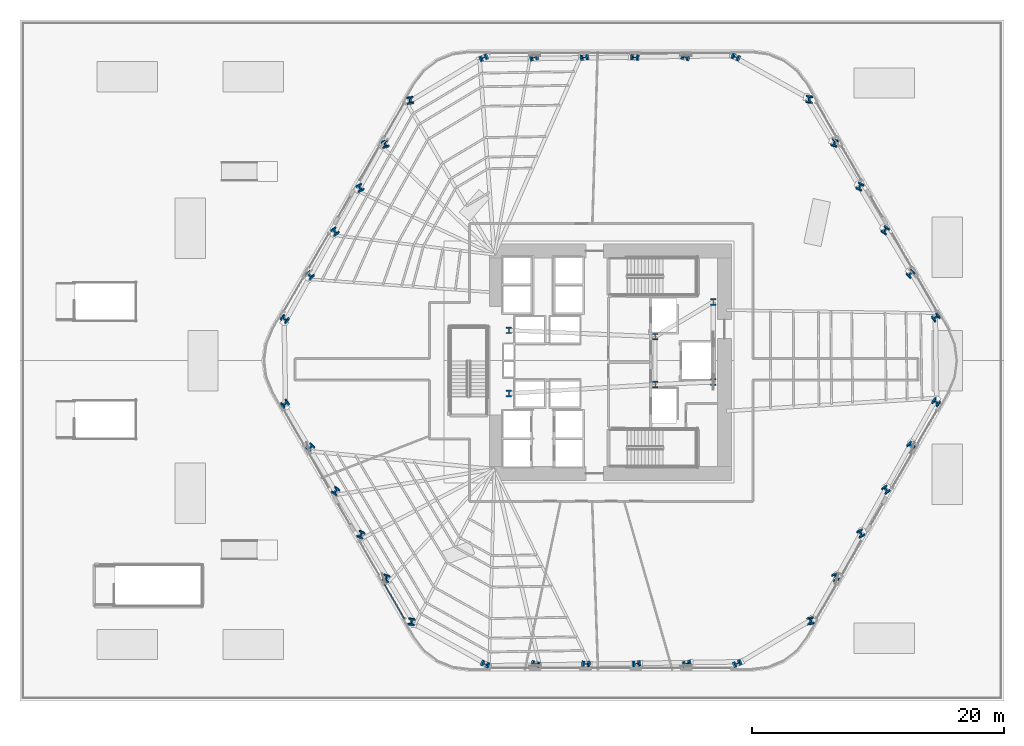
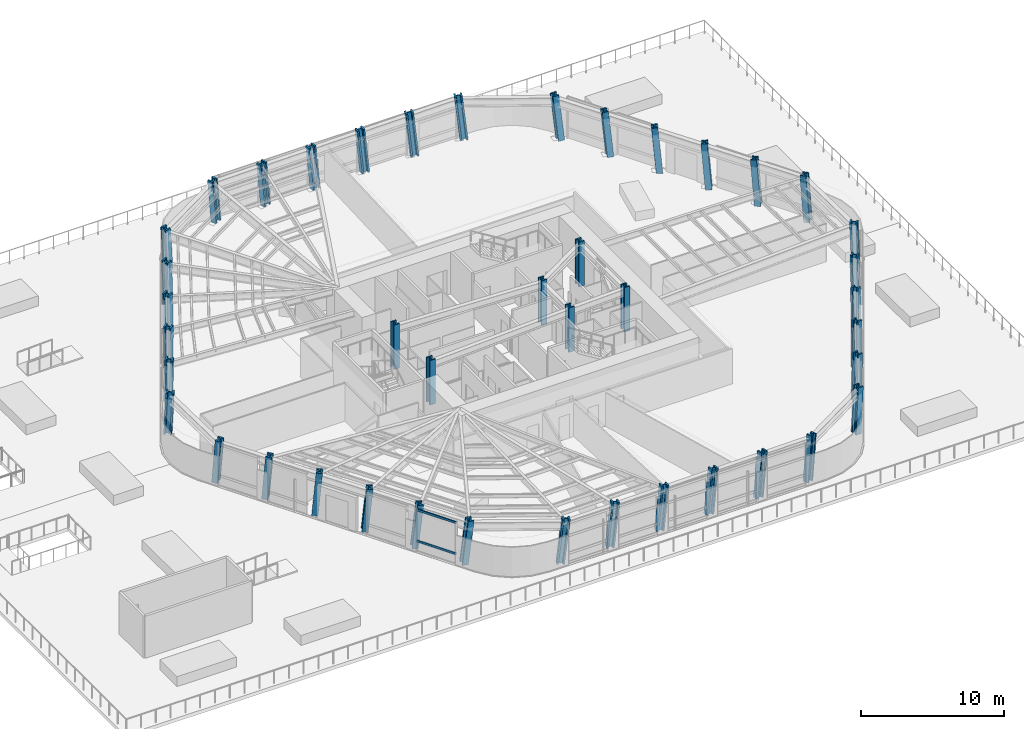
# One storey, part 1 of 18: 42 columns, 2 members, 1 element without a shape of its own.
"""IFC4 building model written with IfcOpenShell, lengths in metres."""

from ifc_helpers import new_model, si_unit, direction, frame, origin, origin_2d, place, context, subcontext, project, spatial, rectangle, i_section, extrude, material, layer, layer_set, material_profile, profile_set, type_object, element, aggregate, save


model = new_model("IFC4")

# Units and contexts
model_context = context("Model", 3, precision=1e-05, world=origin(), true_north=direction((0.0, 1.0)))
body_context = subcontext(model_context, "Body", "Model", "MODEL_VIEW")
ifc_project = project(units=[si_unit("LENGTHUNIT", "METRE"), si_unit("AREAUNIT", "SQUARE_METRE"), si_unit("VOLUMEUNIT", "CUBIC_METRE"), si_unit("PLANEANGLEUNIT", "RADIAN"), si_unit("MASSUNIT", "GRAM", prefix="KILO")], contexts=[model_context])

# Site, building, storey
site_placement = place(None, origin())
site = spatial("IfcSite", under=ifc_project, at=site_placement, CompositionType="ELEMENT")
building_placement = place(site_placement, origin())
building = spatial("IfcBuilding", under=site, at=building_placement, Name="Valkerne Bourse Tower", CompositionType="ELEMENT")
storey_placement = place(building_placement, frame((0.0, 0.0, 24.0)))
storey = spatial("IfcBuildingStorey", under=building, at=storey_placement, Name="L05", CompositionType="ELEMENT", Elevation=24.0)

# Columns
ifc_material_1 = material(Name="Steel ASTM A913 Grade 65", Category="steel")
ifc_material_profile_1 = material_profile(ifc_material_1, i_section(OverallWidth=0.44189453125, OverallDepth=0.531005859375, WebThickness=0.06591796875, FlangeThickness=0.105712890625, FilletRadius=0.030517578125, at=origin_2d()), Name="W14X605")
ifc_profile_set_1 = profile_set([ifc_material_profile_1], Name="Steel ASTM A913 Grade 65")
column_type_1 = type_object("IfcColumnType", Name="COL-W14X605", PredefinedType="COLUMN", material=ifc_profile_set_1)
for number, where, z_axis, x_axis, name in (
    (1, (38.75, 24.39990234375, 0.0048828125), (0.0, 0.0, 1.0), (1.0, 0.0, 0.0), "L05 Core Frame Column CC-SW"),
    (2, (38.75, 29.39990234375, 0.0048828125), (0.0, 0.0, 1.0), (1.0, 0.0, 0.0), "L05 Core Frame Column CC-NW"),
    (3, (50.35009765625, 25.10009765625, 0.0048828125), (0.0, 0.0, 1.0), (1.0, 0.0, 0.0), "L05 Core Frame Column CC-CE1"),
    (4, (50.35009765625, 28.89990234375, 0.0048828125), (0.0, 0.0, 1.0), (1.0, 0.0, 0.0), "L05 Core Frame Column CC-CE2"),
    (5, (54.949951171875, 25.300048828125, 0.0048828125), (0.0, 0.0, 1.0), (1.0, 0.0, 0.0), "L05 Core Frame Column CC-SE"),
    (6, (54.949951171875, 31.64990234375, 0.0048828125), (0.0, 0.0, 1.0), (1.0, 0.0, 0.0), "L05 Core Frame Column CC-NE"),
):
    element("IfcColumn", number, at=place(storey_placement, frame(where, z_axis=z_axis, x_axis=x_axis)), inside=storey, type_object=column_type_1, Name=name, PredefinedType="COLUMN", context=body_context, shape_type="SweptSolid", body=[
        extrude(i_section(OverallWidth=0.44189453125, OverallDepth=0.531005859375, WebThickness=0.06591796875, FlangeThickness=0.105712890625, FilletRadius=0.030517578125, at=origin_2d()), origin(), (0.0, 0.0, 1.0), 3.795166015625),
    ])
ifc_material_profile_2 = material_profile(ifc_material_1, i_section(OverallWidth=0.45458984375, OverallDepth=0.569091796875, WebThickness=0.077880859375, FlangeThickness=0.124755859375, FilletRadius=0.030517578125, at=origin_2d()), Name="W14X730")
ifc_profile_set_2 = profile_set([ifc_material_profile_2], Name="Steel ASTM A913 Grade 65")
column_type_2 = type_object("IfcColumnType", Name="COL-W14X730", PredefinedType="COLUMN", material=ifc_profile_set_2)
column_1_placement = place(storey_placement, frame((72.607421875, 30.364501953125, 0.010009765625), z_axis=(-0.014700890484, 0.106501210973, 0.994203890497), x_axis=(0.613036174722, -0.784549348602, 0.093107293429)))
element("IfcColumn", 7, at=column_1_placement, inside=storey, type_object=column_type_2, Name="L05 Helical Perimeter Tube Column F1-C1", PredefinedType="COLUMN", context=body_context, shape_type="SweptSolid", body=[
    extrude(i_section(OverallWidth=0.45458984375, OverallDepth=0.569091796875, WebThickness=0.077880859375, FlangeThickness=0.124755859375, FilletRadius=0.030517578125, at=origin_2d()), origin(), (0.0, 0.0, 1.0), 3.802978515625),
])
column_2_placement = place(storey_placement, frame((70.609619140625, 33.8251953125, 0.010009765625), z_axis=(-0.028968323031, 0.098145449206, 0.994750374245), x_axis=(0.723418313263, -0.684698601088, 0.088621496852)))
element("IfcColumn", 8, at=column_2_placement, inside=storey, type_object=column_type_2, Name="L05 Helical Perimeter Tube Column F1-C2", PredefinedType="COLUMN", context=body_context, shape_type="SweptSolid", body=[
    extrude(i_section(OverallWidth=0.45458984375, OverallDepth=0.569091796875, WebThickness=0.077880859375, FlangeThickness=0.124755859375, FilletRadius=0.030517578125, at=origin_2d()), origin(), (0.0, 0.0, 1.0), 3.801025390625),
])
for number, where, z_axis, x_axis, name in (
    (9, (68.611572265625, 37.285888671875, 0.010009765625), (-0.043239347925, 0.08981962615, 0.995018991552), (0.824288737494, -0.559549079529, 0.086330208143), "L05 Helical Perimeter Tube Column F1-C3"),
    (10, (66.613525390625, 40.746337890625, 0.010009765625), (-0.05750237044, 0.081467045494, 0.995015878211), (0.90540417877, -0.415675019077, 0.086357116562), "L05 Helical Perimeter Tube Column F1-C4"),
):
    element("IfcColumn", number, at=place(storey_placement, frame(where, z_axis=z_axis, x_axis=x_axis)), inside=storey, type_object=column_type_2, Name=name, PredefinedType="COLUMN", context=body_context, shape_type="SweptSolid", body=[
        extrude(i_section(OverallWidth=0.45458984375, OverallDepth=0.569091796875, WebThickness=0.077880859375, FlangeThickness=0.124755859375, FilletRadius=0.030517578125, at=origin_2d()), origin(), (0.0, 0.0, 1.0), 3.800048828125),
    ])
column_3_placement = place(storey_placement, frame((64.615478515625, 44.20703125, 0.010009765625), z_axis=(-0.071681805144, 0.073094887324, 0.994745623895), x_axis=(0.960167678034, -0.264985230252, 0.088661478706)))
element("IfcColumn", 11, at=column_3_placement, inside=storey, type_object=column_type_2, Name="L05 Helical Perimeter Tube Column F1-C5", PredefinedType="COLUMN", context=body_context, shape_type="SweptSolid", body=[
    extrude(i_section(OverallWidth=0.45458984375, OverallDepth=0.569091796875, WebThickness=0.077880859375, FlangeThickness=0.124755859375, FilletRadius=0.030517578125, at=origin_2d()), origin(), (0.0, 0.0, 1.0), 3.801025390625),
])
for number, where, z_axis, x_axis, name in (
    (12, (62.617431640625, 47.667724609375, 0.010009765625), (-0.08583063883, 0.064645813988, 0.99421024948), (0.98857016259, -0.118615128736, 0.093056353201), "L05 Helical Perimeter Tube Column F1-C6"),
    (13, (56.7900390625, 51.0322265625, 0.010009765625), (-0.099568236875, 0.040507773996, 0.99420585718), (0.376841554449, 0.926277735261, 0.0), "L05 Helical Perimeter Tube Column F2-C1"),
):
    element("IfcColumn", number, at=place(storey_placement, frame(where, z_axis=z_axis, x_axis=x_axis)), inside=storey, type_object=column_type_2, Name=name, PredefinedType="COLUMN", context=body_context, shape_type="SweptSolid", body=[
        extrude(i_section(OverallWidth=0.45458984375, OverallDepth=0.569091796875, WebThickness=0.077880859375, FlangeThickness=0.124755859375, FilletRadius=0.030517578125, at=origin_2d()), origin(), (0.0, 0.0, 1.0), 3.802978515625),
    ])
column_4_placement = place(storey_placement, frame((52.7939453125, 51.0322265625, 0.010009765625), z_axis=(-0.099494236011, 0.023958263417, 0.994749666305), x_axis=(0.234108769194, 0.972210411478, 0.0)))
element("IfcColumn", 14, at=column_4_placement, inside=storey, type_object=column_type_2, Name="L05 Helical Perimeter Tube Column F2-C2", PredefinedType="COLUMN", context=body_context, shape_type="SweptSolid", body=[
    extrude(i_section(OverallWidth=0.45458984375, OverallDepth=0.569091796875, WebThickness=0.077880859375, FlangeThickness=0.124755859375, FilletRadius=0.030517578125, at=origin_2d()), origin(), (0.0, 0.0, 1.0), 3.801025390625),
])
for number, where, z_axis, x_axis, name in (
    (15, (48.798095703125, 51.0322265625, 0.010009765625), (-0.099392813468, 0.007452854791, 0.995020363403), (0.074773923303, 0.997200511629, 0.0), "L05 Helical Perimeter Tube Column F2-C3"),
    (16, (44.802001953125, 51.0322265625, 0.010009765625), (-0.099264266597, -0.00905906899, 0.995019868468), (-0.090884442574, 0.995861445231, 0.0), "L05 Helical Perimeter Tube Column F2-C4"),
):
    element("IfcColumn", number, at=place(storey_placement, frame(where, z_axis=z_axis, x_axis=x_axis)), inside=storey, type_object=column_type_2, Name=name, PredefinedType="COLUMN", context=body_context, shape_type="SweptSolid", body=[
        extrude(i_section(OverallWidth=0.45458984375, OverallDepth=0.569091796875, WebThickness=0.077880859375, FlangeThickness=0.124755859375, FilletRadius=0.030517578125, at=origin_2d()), origin(), (0.0, 0.0, 1.0), 3.800048828125),
    ])
column_5_placement = place(storey_placement, frame((40.805908203125, 51.0322265625, 0.010009765625), z_axis=(-0.099108700583, -0.02556400702, 0.994748182715), x_axis=(-0.249764140274, 0.968306704631, 0.0)))
element("IfcColumn", 17, at=column_5_placement, inside=storey, type_object=column_type_2, Name="L05 Helical Perimeter Tube Column F2-C5", PredefinedType="COLUMN", context=body_context, shape_type="SweptSolid", body=[
    extrude(i_section(OverallWidth=0.45458984375, OverallDepth=0.569091796875, WebThickness=0.077880859375, FlangeThickness=0.124755859375, FilletRadius=0.030517578125, at=origin_2d()), origin(), (0.0, 0.0, 1.0), 3.801025390625),
])
for number, where, z_axis, x_axis, name in (
    (18, (36.81005859375, 51.0322265625, 0.010009765625), (-0.098926286737, -0.042048486576, 0.994205971904), (-0.391178578766, 0.920314793706, 0.0), "L05 Helical Perimeter Tube Column F2-C6"),
    (19, (30.982421875, 47.667724609375, 0.010009765625), (-0.084803459635, -0.065993911056, 0.994209825408), (-0.986576099019, -0.134191965288, -0.093059751218), "L05 Helical Perimeter Tube Column F3-C1"),
):
    element("IfcColumn", number, at=place(storey_placement, frame(where, z_axis=z_axis, x_axis=x_axis)), inside=storey, type_object=column_type_2, Name=name, PredefinedType="COLUMN", context=body_context, shape_type="SweptSolid", body=[
        extrude(i_section(OverallWidth=0.45458984375, OverallDepth=0.569091796875, WebThickness=0.077880859375, FlangeThickness=0.124755859375, FilletRadius=0.030517578125, at=origin_2d()), origin(), (0.0, 0.0, 1.0), 3.802978515625),
    ])
column_6_placement = place(storey_placement, frame((28.984619140625, 44.20703125, 0.010009765625), z_axis=(-0.070589684922, -0.074186611542, 0.994742902991), x_axis=(-0.956061197082, -0.279431690619, -0.088684371296)))
element("IfcColumn", 20, at=column_6_placement, inside=storey, type_object=column_type_2, Name="L05 Helical Perimeter Tube Column F3-C2", PredefinedType="COLUMN", context=body_context, shape_type="SweptSolid", body=[
    extrude(i_section(OverallWidth=0.45458984375, OverallDepth=0.569091796875, WebThickness=0.077880859375, FlangeThickness=0.124755859375, FilletRadius=0.030517578125, at=origin_2d()), origin(), (0.0, 0.0, 1.0), 3.801025390625),
])
for number, where, z_axis, x_axis, name in (
    (21, (26.986572265625, 40.746337890625, 0.010009765625), (-0.056217663843, -0.082302659866, 0.995020525643), (-0.898912644781, -0.429540966488, -0.086316945971), "L05 Helical Perimeter Tube Column F3-C3"),
    (22, (24.988525390625, 37.285888671875, 0.010009765625), (-0.041825726429, -0.090526034622, 0.995015399712), (-0.815317669534, -0.572537188306, -0.086361251449), "L05 Helical Perimeter Tube Column F3-C4"),
):
    element("IfcColumn", number, at=place(storey_placement, frame(where, z_axis=z_axis, x_axis=x_axis)), inside=storey, type_object=column_type_2, Name=name, PredefinedType="COLUMN", context=body_context, shape_type="SweptSolid", body=[
        extrude(i_section(OverallWidth=0.45458984375, OverallDepth=0.569091796875, WebThickness=0.077880859375, FlangeThickness=0.124755859375, FilletRadius=0.030517578125, at=origin_2d()), origin(), (0.0, 0.0, 1.0), 3.800048828125),
    ])
column_7_placement = place(storey_placement, frame((22.990478515625, 33.8251953125, 0.010009765625), z_axis=(-0.027426576851, -0.098658599632, 0.994743315434), x_axis=(-0.712467156733, -0.696079196843, -0.088680901548)))
element("IfcColumn", 23, at=column_7_placement, inside=storey, type_object=column_type_2, Name="L05 Helical Perimeter Tube Column F3-C5", PredefinedType="COLUMN", context=body_context, shape_type="SweptSolid", body=[
    extrude(i_section(OverallWidth=0.45458984375, OverallDepth=0.569091796875, WebThickness=0.077880859375, FlangeThickness=0.124755859375, FilletRadius=0.030517578125, at=origin_2d()), origin(), (0.0, 0.0, 1.0), 3.801025390625),
])
for number, where, z_axis, x_axis, name in (
    (24, (20.992431640625, 30.364501953125, 0.010009765625), (-0.013031827824, -0.106694078048, 0.994206490209), (-0.600701005667, -0.794036026053, -0.093086471198), "L05 Helical Perimeter Tube Column F3-C6"),
    (25, (20.992431640625, 23.635498046875, 0.010009765625), (0.014765072547, -0.106501110244, 0.994202950181), (0.613499980581, -0.784185822009, -0.093114823674), "L05 Helical Perimeter Tube Column F4-C1"),
):
    element("IfcColumn", number, at=place(storey_placement, frame(where, z_axis=z_axis, x_axis=x_axis)), inside=storey, type_object=column_type_2, Name=name, PredefinedType="COLUMN", context=body_context, shape_type="SweptSolid", body=[
        extrude(i_section(OverallWidth=0.45458984375, OverallDepth=0.569091796875, WebThickness=0.077880859375, FlangeThickness=0.124755859375, FilletRadius=0.030517578125, at=origin_2d()), origin(), (0.0, 0.0, 1.0), 3.802978515625),
    ])
column_8_placement = place(storey_placement, frame((22.990478515625, 20.1748046875, 0.010009765625), z_axis=(0.028968323031, -0.098145449206, 0.994750374245), x_axis=(0.723418313263, -0.684698601088, -0.088621496852)))
element("IfcColumn", 26, at=column_8_placement, inside=storey, type_object=column_type_2, Name="L05 Helical Perimeter Tube Column F4-C2", PredefinedType="COLUMN", context=body_context, shape_type="SweptSolid", body=[
    extrude(i_section(OverallWidth=0.45458984375, OverallDepth=0.569091796875, WebThickness=0.077880859375, FlangeThickness=0.124755859375, FilletRadius=0.030517578125, at=origin_2d()), origin(), (0.0, 0.0, 1.0), 3.801025390625),
])
for number, where, z_axis, x_axis, name in (
    (27, (24.988525390625, 16.714111328125, 0.010009765625), (0.043239347925, -0.08981962615, 0.995018991552), (0.824288737494, -0.559549079529, -0.086330208143), "L05 Helical Perimeter Tube Column F4-C3"),
    (28, (26.986572265625, 13.253662109375, 0.010009765625), (0.057438334065, -0.081467346303, 0.995019552203), (0.905186997161, -0.416154336901, -0.086325361571), "L05 Helical Perimeter Tube Column F4-C4"),
):
    element("IfcColumn", number, at=place(storey_placement, frame(where, z_axis=z_axis, x_axis=x_axis)), inside=storey, type_object=column_type_2, Name=name, PredefinedType="COLUMN", context=body_context, shape_type="SweptSolid", body=[
        extrude(i_section(OverallWidth=0.45458984375, OverallDepth=0.569091796875, WebThickness=0.077880859375, FlangeThickness=0.124755859375, FilletRadius=0.030517578125, at=origin_2d()), origin(), (0.0, 0.0, 1.0), 3.800048828125),
    ])
column_9_placement = place(storey_placement, frame((28.984619140625, 9.79296875, 0.010009765625), z_axis=(0.071681805144, -0.073094887324, 0.994745623895), x_axis=(0.960167678034, -0.264985230252, -0.088661478706)))
element("IfcColumn", 29, at=column_9_placement, inside=storey, type_object=column_type_2, Name="L05 Helical Perimeter Tube Column F4-C5", PredefinedType="COLUMN", context=body_context, shape_type="SweptSolid", body=[
    extrude(i_section(OverallWidth=0.45458984375, OverallDepth=0.569091796875, WebThickness=0.077880859375, FlangeThickness=0.124755859375, FilletRadius=0.030517578125, at=origin_2d()), origin(), (0.0, 0.0, 1.0), 3.801025390625),
])
for number, where, z_axis, x_axis, name in (
    (30, (30.982421875, 6.332275390625, 0.010009765625), (0.085894361813, -0.064645457658, 0.994204769357), (0.988608920927, -0.118257109824, -0.093100254781), "L05 Helical Perimeter Tube Column F4-C6"),
    (31, (36.81005859375, 2.9677734375, 0.010009765625), (0.099568236875, -0.040507773996, 0.99420585718), (0.376841554449, 0.926277735261, 0.0), "L05 Helical Perimeter Tube Column F5-C1"),
):
    element("IfcColumn", number, at=place(storey_placement, frame(where, z_axis=z_axis, x_axis=x_axis)), inside=storey, type_object=column_type_2, Name=name, PredefinedType="COLUMN", context=body_context, shape_type="SweptSolid", body=[
        extrude(i_section(OverallWidth=0.45458984375, OverallDepth=0.569091796875, WebThickness=0.077880859375, FlangeThickness=0.124755859375, FilletRadius=0.030517578125, at=origin_2d()), origin(), (0.0, 0.0, 1.0), 3.802978515625),
    ])
column_10_placement = place(storey_placement, frame((40.805908203125, 2.9677734375, 0.010009765625), z_axis=(0.099494236011, -0.023958263417, 0.994749666305), x_axis=(0.234108769194, 0.972210411478, 0.0)))
element("IfcColumn", 32, at=column_10_placement, inside=storey, type_object=column_type_2, Name="L05 Helical Perimeter Tube Column F5-C2", PredefinedType="COLUMN", context=body_context, shape_type="SweptSolid", body=[
    extrude(i_section(OverallWidth=0.45458984375, OverallDepth=0.569091796875, WebThickness=0.077880859375, FlangeThickness=0.124755859375, FilletRadius=0.030517578125, at=origin_2d()), origin(), (0.0, 0.0, 1.0), 3.801025390625),
])
for number, where, z_axis, x_axis, name in (
    (33, (44.802001953125, 2.9677734375, 0.010009765625), (0.099392813468, -0.007452854791, 0.995020363403), (0.074773923303, 0.997200511629, 0.0), "L05 Helical Perimeter Tube Column F5-C3"),
    (34, (48.798095703125, 2.9677734375, 0.010009765625), (0.099264266597, 0.00905906899, 0.995019868468), (-0.090884442574, 0.995861445231, 0.0), "L05 Helical Perimeter Tube Column F5-C4"),
):
    element("IfcColumn", number, at=place(storey_placement, frame(where, z_axis=z_axis, x_axis=x_axis)), inside=storey, type_object=column_type_2, Name=name, PredefinedType="COLUMN", context=body_context, shape_type="SweptSolid", body=[
        extrude(i_section(OverallWidth=0.45458984375, OverallDepth=0.569091796875, WebThickness=0.077880859375, FlangeThickness=0.124755859375, FilletRadius=0.030517578125, at=origin_2d()), origin(), (0.0, 0.0, 1.0), 3.800048828125),
    ])
column_11_placement = place(storey_placement, frame((52.7939453125, 2.9677734375, 0.010009765625), z_axis=(0.099108700583, 0.02556400702, 0.994748182715), x_axis=(-0.249764140274, 0.968306704631, 0.0)))
element("IfcColumn", 35, at=column_11_placement, inside=storey, type_object=column_type_2, Name="L05 Helical Perimeter Tube Column F5-C5", PredefinedType="COLUMN", context=body_context, shape_type="SweptSolid", body=[
    extrude(i_section(OverallWidth=0.45458984375, OverallDepth=0.569091796875, WebThickness=0.077880859375, FlangeThickness=0.124755859375, FilletRadius=0.030517578125, at=origin_2d()), origin(), (0.0, 0.0, 1.0), 3.801025390625),
])
for number, where, z_axis, x_axis, name in (
    (36, (56.7900390625, 2.9677734375, 0.010009765625), (0.098926286737, 0.042048486576, 0.994205971904), (-0.391178578766, 0.920314793706, 0.0), "L05 Helical Perimeter Tube Column F5-C6"),
    (37, (62.617431640625, 6.332275390625, 0.010009765625), (0.084867193849, 0.065993551647, 0.994204410848), (-0.986621543311, -0.133827269968, 0.093103126092), "L05 Helical Perimeter Tube Column F6-C1"),
):
    element("IfcColumn", number, at=place(storey_placement, frame(where, z_axis=z_axis, x_axis=x_axis)), inside=storey, type_object=column_type_2, Name=name, PredefinedType="COLUMN", context=body_context, shape_type="SweptSolid", body=[
        extrude(i_section(OverallWidth=0.45458984375, OverallDepth=0.569091796875, WebThickness=0.077880859375, FlangeThickness=0.124755859375, FilletRadius=0.030517578125, at=origin_2d()), origin(), (0.0, 0.0, 1.0), 3.802978515625),
    ])
column_12_placement = place(storey_placement, frame((64.615478515625, 9.79296875, 0.010009765625), z_axis=(0.070525773711, 0.074186947756, 0.994747411168), x_axis=(-0.955936760233, -0.279869111289, 0.088646438063)))
element("IfcColumn", 38, at=column_12_placement, inside=storey, type_object=column_type_2, Name="L05 Helical Perimeter Tube Column F6-C2", PredefinedType="COLUMN", context=body_context, shape_type="SweptSolid", body=[
    extrude(i_section(OverallWidth=0.45458984375, OverallDepth=0.569091796875, WebThickness=0.077880859375, FlangeThickness=0.124755859375, FilletRadius=0.030517578125, at=origin_2d()), origin(), (0.0, 0.0, 1.0), 3.801025390625),
])
column_13_placement = place(storey_placement, frame((66.613525390625, 13.253662109375, 0.010009765625), z_axis=(0.056153617791, 0.082302956968, 0.995024117539), x_axis=(-0.898685547316, -0.430022130719, 0.086285886085)))
element("IfcColumn", 39, at=column_13_placement, inside=storey, type_object=column_type_2, Name="L05 Helical Perimeter Tube Column F6-C3", PredefinedType="COLUMN", context=body_context, shape_type="SweptSolid", body=[
    extrude(i_section(OverallWidth=0.45458984375, OverallDepth=0.569091796875, WebThickness=0.077880859375, FlangeThickness=0.124755859375, FilletRadius=0.030517578125, at=origin_2d()), origin(), (0.0, 0.0, 1.0), 3.7998046875),
])
column_14_placement = place(storey_placement, frame((68.611572265625, 16.714111328125, 0.010009765625), z_axis=(0.041825726429, 0.090526034622, 0.995015399712), x_axis=(-0.815317669534, -0.572537188306, 0.086361251449)))
element("IfcColumn", 40, at=column_14_placement, inside=storey, type_object=column_type_2, Name="L05 Helical Perimeter Tube Column F6-C4", PredefinedType="COLUMN", context=body_context, shape_type="SweptSolid", body=[
    extrude(i_section(OverallWidth=0.45458984375, OverallDepth=0.569091796875, WebThickness=0.077880859375, FlangeThickness=0.124755859375, FilletRadius=0.030517578125, at=origin_2d()), origin(), (0.0, 0.0, 1.0), 3.800048828125),
])
column_15_placement = place(storey_placement, frame((70.609619140625, 20.1748046875, 0.010009765625), z_axis=(0.027426576851, 0.098658599632, 0.994743315434), x_axis=(-0.712467156733, -0.696079196843, 0.088680901548)))
element("IfcColumn", 41, at=column_15_placement, inside=storey, type_object=column_type_2, Name="L05 Helical Perimeter Tube Column F6-C5", PredefinedType="COLUMN", context=body_context, shape_type="SweptSolid", body=[
    extrude(i_section(OverallWidth=0.45458984375, OverallDepth=0.569091796875, WebThickness=0.077880859375, FlangeThickness=0.124755859375, FilletRadius=0.030517578125, at=origin_2d()), origin(), (0.0, 0.0, 1.0), 3.801025390625),
])
column_16_placement = place(storey_placement, frame((72.607421875, 23.635498046875, 0.010009765625), z_axis=(0.013096013037, 0.106693988568, 0.994205656414), x_axis=(-0.601171514562, -0.793679075895, 0.093093149939)))
element("IfcColumn", 42, at=column_16_placement, inside=storey, type_object=column_type_2, Name="L05 Helical Perimeter Tube Column F6-C6", PredefinedType="COLUMN", context=body_context, shape_type="SweptSolid", body=[
    extrude(i_section(OverallWidth=0.45458984375, OverallDepth=0.569091796875, WebThickness=0.077880859375, FlangeThickness=0.124755859375, FilletRadius=0.030517578125, at=origin_2d()), origin(), (0.0, 0.0, 1.0), 3.802978515625),
])

# Curtain wall, members
ifc_material_2 = material(Name="Aluminium AA 6063-T6", Category="aluminium")
ifc_layer = layer(ifc_material_2, 0.22509765625)
ifc_layer_set = layer_set([ifc_layer], Name="Aluminium AA 6063-T6")
curtain_wall_type = type_object("IfcCurtainWallType", Name="CW-01", PredefinedType="NOTDEFINED", material=ifc_layer_set)
curtain_wall_placement = place(storey_placement, origin())
curtain_wall = element("IfcCurtainWall", 43, at=curtain_wall_placement, inside=storey, type_object=curtain_wall_type, Name="L05 Hexagonal Stick Curtain Wall Face 4", PredefinedType="NOTDEFINED")
ifc_material_profile_3 = material_profile(ifc_material_2, rectangle(XDim=0.090087890625, YDim=0.179931640625, at=origin_2d()), Name="CWT-90X180")
ifc_profile_set_3 = profile_set([ifc_material_profile_3], Name="Aluminium AA 6063-T6")
member_type = type_object("IfcMemberType", Name="CW-TRN-180X90", PredefinedType="USERDEFINED", material=ifc_profile_set_3)
member_1_placement = place(storey_placement, frame((28.900146484375, 9.25927734375, 0.85009765625), z_axis=(0.499941193264, -0.866059353207, 0.0), x_axis=(0.866059353207, 0.499941193264, 0.0)))
member_1 = element("IfcMember", 44, at=member_1_placement, type_object=member_type, Name="CW-L05-F4 Bay Transom 04-1", ObjectType="TRANSOM", PredefinedType="USERDEFINED", context=body_context, shape_type="SweptSolid", body=[
    extrude(rectangle(XDim=0.090087890625, YDim=0.179931640625, at=origin_2d()), origin(), (0.0, 0.0, 1.0), 3.15625),
])
member_2_placement = place(storey_placement, frame((28.900146484375, 9.25927734375, 3.5), z_axis=(0.499941193264, -0.866059353207, 0.0), x_axis=(0.866059353207, 0.499941193264, 0.0)))
member_2 = element("IfcMember", 45, at=member_2_placement, type_object=member_type, Name="CW-L05-F4 Bay Transom 04-2", ObjectType="TRANSOM", PredefinedType="USERDEFINED", context=body_context, shape_type="SweptSolid", body=[
    extrude(rectangle(XDim=0.090087890625, YDim=0.179931640625, at=origin_2d()), origin(), (0.0, 0.0, 1.0), 3.15625),
])
aggregate(curtain_wall, [member_1, member_2])

save(model, "model.ifc")
